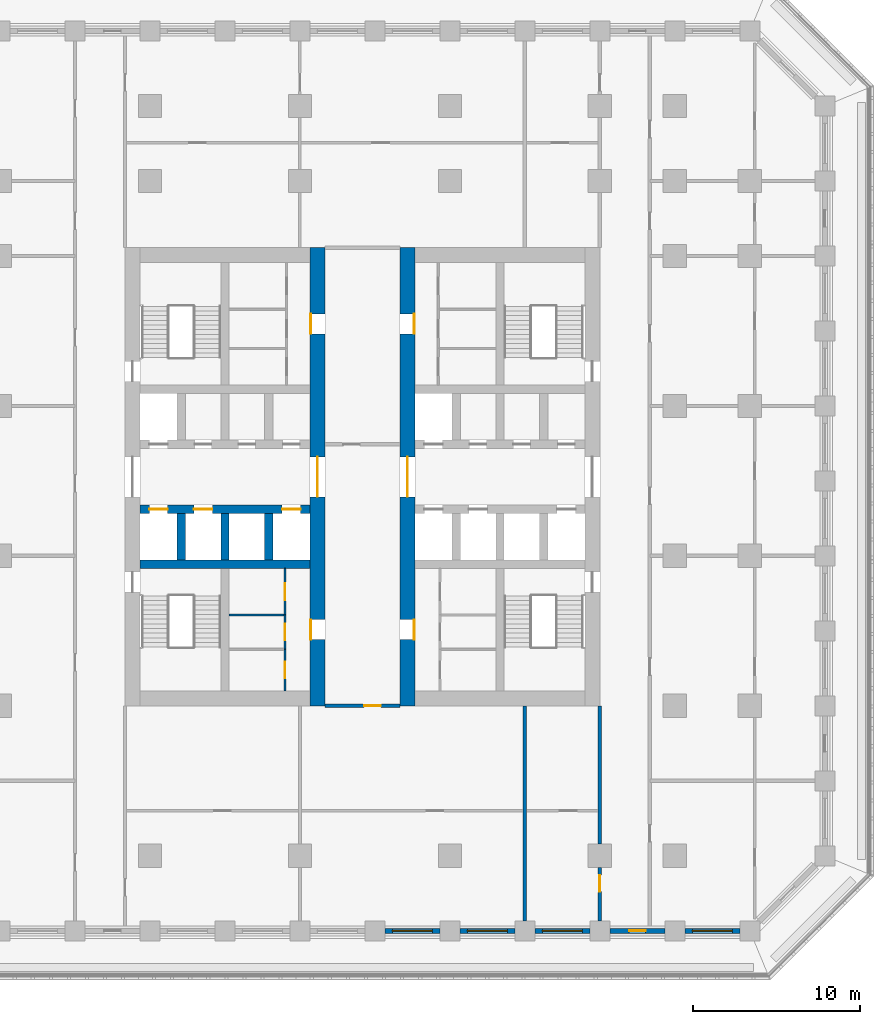
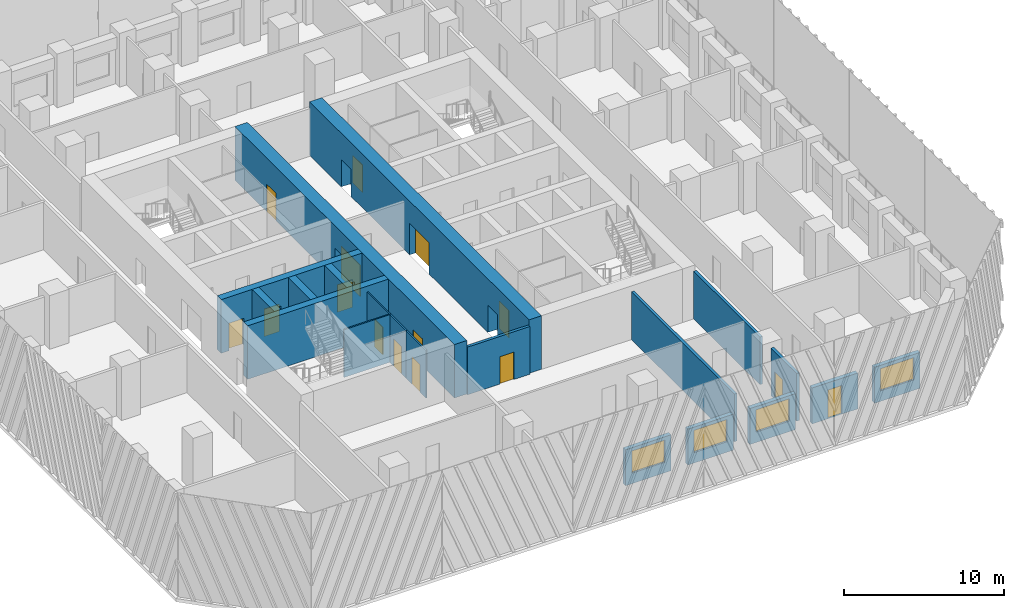
# One storey, part 4 of 19: 20 walls, 15 doors, 4 windows, 19 openings.
"""IFC4 building model written with IfcOpenShell, lengths in metres."""

from ifc_helpers import new_model, si_unit, direction, frame, frame_2d, origin, place, context, subcontext, project, spatial, rectangle, extrude, material, layer, layer_set, type_object, element, fill, save


model = new_model("IFC4")

# Units and contexts
model_context = context("Model", 3, precision=1e-05, world=origin(), true_north=direction((0.0, 1.0)))
body_context = subcontext(model_context, "Body", "Model", "MODEL_VIEW")
ifc_project = project(units=[si_unit("LENGTHUNIT", "METRE"), si_unit("AREAUNIT", "SQUARE_METRE"), si_unit("VOLUMEUNIT", "CUBIC_METRE"), si_unit("PLANEANGLEUNIT", "RADIAN"), si_unit("MASSUNIT", "GRAM", prefix="KILO")], contexts=[model_context])

# Site, building, storey
site_placement = place(None, origin())
site = spatial("IfcSite", under=ifc_project, at=site_placement, CompositionType="ELEMENT")
building_placement = place(site_placement, origin())
building = spatial("IfcBuilding", under=site, at=building_placement, Name="Corbel Stack Research Tower", CompositionType="ELEMENT")
storey_placement = place(building_placement, frame((0.0, 0.0, 90.199951171875)))
storey = spatial("IfcBuildingStorey", under=building, at=storey_placement, Name="L20", CompositionType="ELEMENT", Elevation=90.199951171875)

# Wall
ifc_material_1 = material(Name="Concrete C70/85", Category="concrete")
ifc_layer_1 = layer(ifc_material_1, 0.5)
ifc_layer_set_1 = layer_set([ifc_layer_1], Name="Concrete C70/85")
wall_type_1 = type_object("IfcWallType", Name="CW-500-70", PredefinedType="SHEAR", material=ifc_layer_set_1)
wall_1_placement = place(storey_placement, frame((-9.60009765625, -0.5, 0.0), z_axis=(0.0, 0.0, 1.0), x_axis=(1.0, 0.0, 0.0)))
element("IfcWall", 1, at=wall_1_placement, inside=storey, type_object=wall_type_1, Name="West core wall, south row back L20", PredefinedType="SHEAR", context=body_context, shape_type="SweptSolid", body=[
    extrude(rectangle(XDim=10.2001953125, YDim=0.5, at=frame_2d((5.10009765625, 0.0))), origin(), (0.0, 0.0, 1.0), 4.10009765625),
])

# Wall, openings, doors
wall_2_placement = place(storey_placement, frame((-9.60009765625, 2.800048828125, 0.0), z_axis=(0.0, 0.0, 1.0), x_axis=(1.0, 0.0, 0.0)))
wall_2 = element("IfcWall", 2, at=wall_2_placement, inside=storey, type_object=wall_type_1, Name="West core wall, lobby south L20", PredefinedType="SHEAR", context=body_context, shape_type="SweptSolid", body=[
    extrude(rectangle(XDim=10.2001953125, YDim=0.5, at=frame_2d((5.10009765625, 0.0))), origin(), (0.0, 0.0, 1.0), 4.10009765625),
])
opening_1_placement = place(wall_2_placement, frame((0.5625, 0.0, 0.0)))
opening_1 = element("IfcOpeningElement", 3, at=opening_1_placement, cuts=wall_2, Name="Opening LD-FS1", PredefinedType="OPENING", context=body_context, shape_type="SweptSolid", body=[
    extrude(rectangle(XDim=1.10009765625, YDim=2.10009765625, at=frame_2d((0.550048828125, 1.050048828125))), frame((0.0, 0.260009765625, 0.0), z_axis=(0.0, -1.0, 0.0), x_axis=(1.0, 0.0, 0.0)), (0.0, 0.0, 1.0), 0.52001953125),
])
opening_2_placement = place(wall_2_placement, frame((3.237548828125, 0.0, 0.0)))
opening_2 = element("IfcOpeningElement", 4, at=opening_2_placement, cuts=wall_2, Name="Opening LD-GL1", PredefinedType="OPENING", context=body_context, shape_type="SweptSolid", body=[
    extrude(rectangle(XDim=1.10009765625, YDim=2.10009765625, at=frame_2d((0.550048828125, 1.050048828125))), frame((0.0, 0.260009765625, 0.0), z_axis=(0.0, -1.0, 0.0), x_axis=(1.0, 0.0, 0.0)), (0.0, 0.0, 1.0), 0.52001953125),
])
opening_3_placement = place(wall_2_placement, frame((8.53759765625, 0.0, 0.0)))
opening_3 = element("IfcOpeningElement", 5, at=opening_3_placement, cuts=wall_2, Name="Opening LD-LR1", PredefinedType="OPENING", context=body_context, shape_type="SweptSolid", body=[
    extrude(rectangle(XDim=1.10009765625, YDim=2.10009765625, at=frame_2d((0.550048828125, 1.050048828125))), frame((0.0, 0.260009765625, 0.0), z_axis=(0.0, -1.0, 0.0), x_axis=(1.0, 0.0, 0.0)), (0.0, 0.0, 1.0), 0.52001953125),
])
ifc_material_2 = material(Name="Stainless steel landing door", Category="steel")
door_type_1 = type_object("IfcDoorType", Name="Lift landing door 1100 x 2100", OperationType="DOUBLE_DOOR_SLIDING", PredefinedType="DOOR", material=ifc_material_2)
door_1_placement = place(opening_1_placement, origin())
door_1 = element("IfcDoor", 6, at=door_1_placement, inside=storey, type_object=door_type_1, Name="Landing door FS1", OperationType="DOUBLE_DOOR_SLIDING", OverallHeight=2.10009765625, OverallWidth=1.10009765625, PredefinedType="DOOR", context=body_context, shape_type="SweptSolid", body=[
    extrude(rectangle(XDim=1.10009765625, YDim=2.10009765625, at=frame_2d((0.550048828125, 1.050048828125))), frame((0.0, 0.02490234375, 0.0), z_axis=(0.0, -1.0, 0.0), x_axis=(1.0, 0.0, 0.0)), (0.0, 0.0, 1.0), 0.050048828125),
])
fill(opening_1, door_1)
door_2_placement = place(opening_2_placement, origin())
door_2 = element("IfcDoor", 7, at=door_2_placement, inside=storey, type_object=door_type_1, Name="Landing door GL1", OperationType="DOUBLE_DOOR_SLIDING", OverallHeight=2.10009765625, OverallWidth=1.10009765625, PredefinedType="DOOR", context=body_context, shape_type="SweptSolid", body=[
    extrude(rectangle(XDim=1.10009765625, YDim=2.10009765625, at=frame_2d((0.550048828125, 1.050048828125))), frame((0.0, 0.02490234375, 0.0), z_axis=(0.0, -1.0, 0.0), x_axis=(1.0, 0.0, 0.0)), (0.0, 0.0, 1.0), 0.050048828125),
])
fill(opening_2, door_2)
door_3_placement = place(opening_3_placement, origin())
door_3 = element("IfcDoor", 8, at=door_3_placement, inside=storey, type_object=door_type_1, Name="Landing door LR1", OperationType="DOUBLE_DOOR_SLIDING", OverallHeight=2.10009765625, OverallWidth=1.10009765625, PredefinedType="DOOR", context=body_context, shape_type="SweptSolid", body=[
    extrude(rectangle(XDim=1.10009765625, YDim=2.10009765625, at=frame_2d((0.550048828125, 1.050048828125))), frame((0.0, 0.02490234375, 0.0), z_axis=(0.0, -1.0, 0.0), x_axis=(1.0, 0.0, 0.0)), (0.0, 0.0, 1.0), 0.050048828125),
])
fill(opening_3, door_3)

# Walls
for number, where, z_axis, x_axis, name in (
    (9, (-7.125, -0.25, 0.0), (0.0, 0.0, 1.0), (0.0, 1.0, 0.0), "West core wall, south shaft 1 L20"),
    (10, (-4.5, -0.25, 0.0), (0.0, 0.0, 1.0), (0.0, 1.0, 0.0), "West core wall, south shaft 2 L20"),
    (11, (-1.875, -0.25, 0.0), (0.0, 0.0, 1.0), (0.0, 1.0, 0.0), "West core wall, south shaft 3 L20"),
):
    element("IfcWall", number, at=place(storey_placement, frame(where, z_axis=z_axis, x_axis=x_axis)), inside=storey, type_object=wall_type_1, Name=name, PredefinedType="SHEAR", context=body_context, shape_type="SweptSolid", body=[
        extrude(rectangle(XDim=2.800048828125, YDim=0.5, at=frame_2d((1.39990234375, 0.0))), origin(), (0.0, 0.0, 1.0), 4.10009765625),
    ])

# Wall, openings, doors
ifc_material_3 = material(Name="Concrete C70/85", Category="concrete")
ifc_layer_2 = layer(ifc_material_3, 0.89990234375)
ifc_layer_set_2 = layer_set([ifc_layer_2], Name="Concrete C70/85")
wall_type_2 = type_object("IfcWallType", Name="CW-900-70", PredefinedType="SHEAR", material=ifc_layer_set_2)
wall_3_placement = place(storey_placement, frame((1.050048828125, -9.0, 0.0), z_axis=(0.0, 0.0, 1.0), x_axis=(0.0, 1.0, 0.0)))
wall_3 = element("IfcWall", 12, at=wall_3_placement, inside=storey, type_object=wall_type_2, Name="West core wall, east face L20", PredefinedType="SHEAR", context=body_context, shape_type="SweptSolid", body=[
    extrude(rectangle(XDim=27.5, YDim=0.89990234375, at=frame_2d((13.75, 0.0))), origin(), (0.0, 0.0, 1.0), 4.10009765625),
])
opening_4_placement = place(wall_3_placement, frame((12.550048828125, 0.0, 0.0)))
opening_4 = element("IfcOpeningElement", 13, at=opening_4_placement, cuts=wall_3, Name="Opening CD-W-E", PredefinedType="OPENING", context=body_context, shape_type="SweptSolid", body=[
    extrude(rectangle(XDim=2.39990234375, YDim=2.39990234375, at=frame_2d((1.199951171875, 1.199951171875))), frame((0.0, 0.4599609375, 0.0), z_axis=(0.0, -1.0, 0.0), x_axis=(1.0, 0.0, 0.0)), (0.0, 0.0, 1.0), 0.919921875),
])
opening_5_placement = place(wall_3_placement, frame((3.97509765625, 0.0, 0.0)))
opening_5 = element("IfcOpeningElement", 14, at=opening_5_placement, cuts=wall_3, Name="Opening CR-W12-W1-1200", PredefinedType="OPENING", context=body_context, shape_type="SweptSolid", body=[
    extrude(rectangle(XDim=1.199951171875, YDim=2.10009765625, at=frame_2d((0.60009765625, 1.050048828125))), frame((0.0, 0.4599609375, 0.0), z_axis=(0.0, -1.0, 0.0), x_axis=(1.0, 0.0, 0.0)), (0.0, 0.0, 1.0), 0.919921875),
])
opening_6_placement = place(wall_3_placement, frame((22.324951171875, 0.0, 0.0)))
opening_6 = element("IfcOpeningElement", 15, at=opening_6_placement, cuts=wall_3, Name="Opening CR-W12-R1-1200", PredefinedType="OPENING", context=body_context, shape_type="SweptSolid", body=[
    extrude(rectangle(XDim=1.199951171875, YDim=2.10009765625, at=frame_2d((0.60009765625, 1.050048828125))), frame((0.0, 0.4599609375, 0.0), z_axis=(0.0, -1.0, 0.0), x_axis=(1.0, 0.0, 0.0)), (0.0, 0.0, 1.0), 0.919921875),
])
ifc_material_4 = material(Name="Painted steel fire door", Category="steel")
door_type_2 = type_object("IfcDoorType", Name="Lobby door pair 2400 x 2400 FD30S", OperationType="DOUBLE_DOOR_DOUBLE_SWING", PredefinedType="DOOR", material=ifc_material_4)
door_4_placement = place(opening_4_placement, origin())
door_4 = element("IfcDoor", 16, at=door_4_placement, inside=storey, type_object=door_type_2, Name="Lift lobby door W core E", OperationType="DOUBLE_DOOR_DOUBLE_SWING", OverallHeight=2.39990234375, OverallWidth=2.39990234375, PredefinedType="DOOR", context=body_context, shape_type="SweptSolid", body=[
    extrude(rectangle(XDim=2.39990234375, YDim=2.39990234375, at=frame_2d((1.199951171875, 1.199951171875))), frame((0.0, 0.02490234375, 0.0), z_axis=(0.0, -1.0, 0.0), x_axis=(1.0, 0.0, 0.0)), (0.0, 0.0, 1.0), 0.050048828125),
])
fill(opening_4, door_4)
ifc_material_5 = material(Name="Painted steel door", Category="steel")
door_type_3 = type_object("IfcDoorType", Name="Service door 1200 x 2100 FD30 left hand", OperationType="SINGLE_SWING_LEFT", PredefinedType="DOOR", material=ifc_material_5)
door_5_placement = place(opening_6_placement, origin())
door_5 = element("IfcDoor", 17, at=door_5_placement, inside=storey, type_object=door_type_3, Name="Service passage door W core", OperationType="SINGLE_SWING_LEFT", OverallHeight=2.10009765625, OverallWidth=1.199951171875, PredefinedType="DOOR", context=body_context, shape_type="SweptSolid", body=[
    extrude(rectangle(XDim=1.199951171875, YDim=2.10009765625, at=frame_2d((0.60009765625, 1.050048828125))), frame((0.0, 0.4248046875, 0.0), z_axis=(0.0, -1.0, 0.0), x_axis=(1.0, 0.0, 0.0)), (0.0, 0.0, 1.0), 0.050048828125),
])
fill(opening_6, door_5)
ifc_material_6 = material(Name="Painted timber door", Category="wood")
door_type_4 = type_object("IfcDoorType", Name="WC door 1200 x 2100 left hand", OperationType="SINGLE_SWING_LEFT", PredefinedType="DOOR", material=ifc_material_6)
door_6_placement = place(opening_5_placement, origin())
door_6 = element("IfcDoor", 18, at=door_6_placement, inside=storey, type_object=door_type_4, Name="WC lobby door W core", OperationType="SINGLE_SWING_LEFT", OverallHeight=2.10009765625, OverallWidth=1.199951171875, PredefinedType="DOOR", context=body_context, shape_type="SweptSolid", body=[
    extrude(rectangle(XDim=1.199951171875, YDim=2.10009765625, at=frame_2d((0.60009765625, 1.050048828125))), frame((0.0, 0.4248046875, 0.0), z_axis=(0.0, -1.0, 0.0), x_axis=(1.0, 0.0, 0.0)), (0.0, 0.0, 1.0), 0.050048828125),
])
fill(opening_5, door_6)

wall_4_placement = place(storey_placement, frame((6.449951171875, -9.0, 0.0), z_axis=(0.0, 0.0, 1.0), x_axis=(0.0, 1.0, 0.0)))
wall_4 = element("IfcWall", 19, at=wall_4_placement, inside=storey, type_object=wall_type_2, Name="East core wall, west face L20", PredefinedType="SHEAR", context=body_context, shape_type="SweptSolid", body=[
    extrude(rectangle(XDim=27.5, YDim=0.89990234375, at=frame_2d((13.75, 0.0))), origin(), (0.0, 0.0, 1.0), 4.10009765625),
])
opening_7_placement = place(wall_4_placement, frame((12.550048828125, 0.0, 0.0)))
opening_7 = element("IfcOpeningElement", 20, at=opening_7_placement, cuts=wall_4, Name="Opening CD-E-W", PredefinedType="OPENING", context=body_context, shape_type="SweptSolid", body=[
    extrude(rectangle(XDim=2.39990234375, YDim=2.39990234375, at=frame_2d((1.199951171875, 1.199951171875))), frame((0.0, 0.4599609375, 0.0), z_axis=(0.0, -1.0, 0.0), x_axis=(1.0, 0.0, 0.0)), (0.0, 0.0, 1.0), 0.919921875),
])
opening_8_placement = place(wall_4_placement, frame((3.97509765625, 0.0, 0.0)))
opening_8 = element("IfcOpeningElement", 21, at=opening_8_placement, cuts=wall_4, Name="Opening CR-E12-W1-1200", PredefinedType="OPENING", context=body_context, shape_type="SweptSolid", body=[
    extrude(rectangle(XDim=1.199951171875, YDim=2.10009765625, at=frame_2d((0.60009765625, 1.050048828125))), frame((0.0, 0.4599609375, 0.0), z_axis=(0.0, -1.0, 0.0), x_axis=(1.0, 0.0, 0.0)), (0.0, 0.0, 1.0), 0.919921875),
])
opening_9_placement = place(wall_4_placement, frame((22.324951171875, 0.0, 0.0)))
opening_9 = element("IfcOpeningElement", 22, at=opening_9_placement, cuts=wall_4, Name="Opening CR-E12-R1-1200", PredefinedType="OPENING", context=body_context, shape_type="SweptSolid", body=[
    extrude(rectangle(XDim=1.199951171875, YDim=2.10009765625, at=frame_2d((0.60009765625, 1.050048828125))), frame((0.0, 0.4599609375, 0.0), z_axis=(0.0, -1.0, 0.0), x_axis=(1.0, 0.0, 0.0)), (0.0, 0.0, 1.0), 0.919921875),
])
door_7_placement = place(opening_7_placement, origin())
door_7 = element("IfcDoor", 23, at=door_7_placement, inside=storey, type_object=door_type_2, Name="Lift lobby door E core W", OperationType="DOUBLE_DOOR_DOUBLE_SWING", OverallHeight=2.39990234375, OverallWidth=2.39990234375, PredefinedType="DOOR", context=body_context, shape_type="SweptSolid", body=[
    extrude(rectangle(XDim=2.39990234375, YDim=2.39990234375, at=frame_2d((1.199951171875, 1.199951171875))), frame((0.0, 0.02490234375, 0.0), z_axis=(0.0, -1.0, 0.0), x_axis=(1.0, 0.0, 0.0)), (0.0, 0.0, 1.0), 0.050048828125),
])
fill(opening_7, door_7)
ifc_material_7 = material(Name="Painted steel door", Category="steel")
door_type_5 = type_object("IfcDoorType", Name="Service door 1200 x 2100 FD30 right hand", OperationType="SINGLE_SWING_RIGHT", PredefinedType="DOOR", material=ifc_material_7)
door_8_placement = place(opening_9_placement, origin())
door_8 = element("IfcDoor", 24, at=door_8_placement, inside=storey, type_object=door_type_5, Name="Service passage door E core", OperationType="SINGLE_SWING_RIGHT", OverallHeight=2.10009765625, OverallWidth=1.199951171875, PredefinedType="DOOR", context=body_context, shape_type="SweptSolid", body=[
    extrude(rectangle(XDim=1.199951171875, YDim=2.10009765625, at=frame_2d((0.60009765625, 1.050048828125))), frame((0.0, -0.375, 0.0), z_axis=(0.0, -1.0, 0.0), x_axis=(1.0, 0.0, 0.0)), (0.0, 0.0, 1.0), 0.050048828125),
])
fill(opening_9, door_8)
ifc_material_8 = material(Name="Painted timber door", Category="wood")
door_type_6 = type_object("IfcDoorType", Name="WC door 1200 x 2100 right hand", OperationType="SINGLE_SWING_RIGHT", PredefinedType="DOOR", material=ifc_material_8)
door_9_placement = place(opening_8_placement, origin())
door_9 = element("IfcDoor", 25, at=door_9_placement, inside=storey, type_object=door_type_6, Name="WC lobby door E core", OperationType="SINGLE_SWING_RIGHT", OverallHeight=2.10009765625, OverallWidth=1.199951171875, PredefinedType="DOOR", context=body_context, shape_type="SweptSolid", body=[
    extrude(rectangle(XDim=1.199951171875, YDim=2.10009765625, at=frame_2d((0.60009765625, 1.050048828125))), frame((0.0, -0.375, 0.0), z_axis=(0.0, -1.0, 0.0), x_axis=(1.0, 0.0, 0.0)), (0.0, 0.0, 1.0), 0.050048828125),
])
fill(opening_8, door_9)

# Wall, opening, door
ifc_material_9 = material(Name="Gypsum board")
ifc_layer_3 = layer(ifc_material_9, 0.10009765625)
ifc_layer_set_3 = layer_set([ifc_layer_3], Name="Gypsum board")
wall_type_3 = type_object("IfcWallType", Name="Core partition 100", PredefinedType="PARTITIONING", material=ifc_layer_set_3)
wall_5_placement = place(storey_placement, frame((-0.89990234375, -8.10009765625, 0.0), z_axis=(0.0, 0.0, 1.0), x_axis=(0.0, 1.0, 0.0)))
wall_5 = element("IfcWall", 26, at=wall_5_placement, inside=storey, type_object=wall_type_3, Name="Core partition W", PredefinedType="PARTITIONING", context=body_context, shape_type="SweptSolid", body=[
    extrude(rectangle(XDim=2.4990234375, YDim=0.10009765625, at=frame_2d((1.24951171875, 0.0))), origin(), (0.0, 0.0, 1.0), 3.650146484375),
])
opening_10_placement = place(wall_5_placement, frame((0.74951171875, 0.0, 0.0)))
opening_10 = element("IfcOpeningElement", 27, at=opening_10_placement, cuts=wall_5, Name="Opening CR-W12-W2-1000", PredefinedType="OPENING", context=body_context, shape_type="SweptSolid", body=[
    extrude(rectangle(XDim=1.0, YDim=2.10009765625, at=frame_2d((0.5, 1.050048828125))), frame((0.0, 0.06005859375, 0.0), z_axis=(0.0, -1.0, 0.0), x_axis=(1.0, 0.0, 0.0)), (0.0, 0.0, 1.0), 0.1201171875),
])
ifc_material_10 = material(Name="Painted timber door", Category="wood")
door_type_7 = type_object("IfcDoorType", Name="WC door 1000 x 2100 right hand", OperationType="SINGLE_SWING_RIGHT", PredefinedType="DOOR", material=ifc_material_10)
door_10_placement = place(opening_10_placement, origin())
door_10 = element("IfcDoor", 28, at=door_10_placement, inside=storey, type_object=door_type_7, Name="Men's WC door W core", OperationType="SINGLE_SWING_RIGHT", OverallHeight=2.10009765625, OverallWidth=1.0, PredefinedType="DOOR", context=body_context, shape_type="SweptSolid", body=[
    extrude(rectangle(XDim=1.0, YDim=2.10009765625, at=frame_2d((0.5, 1.050048828125))), frame((0.0, 0.02490234375, 0.0), z_axis=(0.0, -1.0, 0.0), x_axis=(1.0, 0.0, 0.0)), (0.0, 0.0, 1.0), 0.050048828125),
])
fill(opening_10, door_10)

wall_6_placement = place(storey_placement, frame((-0.89990234375, -5.60107421875, 0.0), z_axis=(0.0, 0.0, 1.0), x_axis=(0.0, 1.0, 0.0)))
wall_6 = element("IfcWall", 29, at=wall_6_placement, inside=storey, type_object=wall_type_3, Name="Core partition W", PredefinedType="PARTITIONING", context=body_context, shape_type="SweptSolid", body=[
    extrude(rectangle(XDim=2.05810546875, YDim=0.10009765625, at=frame_2d((1.029052734375, 0.0))), origin(), (0.0, 0.0, 1.0), 3.650146484375),
])
opening_11_placement = place(wall_6_placement, frame((0.529052734375, 0.0, 0.0)))
opening_11 = element("IfcOpeningElement", 30, at=opening_11_placement, cuts=wall_6, Name="Opening CR-W12-W3-1000", PredefinedType="OPENING", context=body_context, shape_type="SweptSolid", body=[
    extrude(rectangle(XDim=1.0, YDim=2.10009765625, at=frame_2d((0.5, 1.050048828125))), frame((0.0, 0.06005859375, 0.0), z_axis=(0.0, -1.0, 0.0), x_axis=(1.0, 0.0, 0.0)), (0.0, 0.0, 1.0), 0.1201171875),
])
ifc_material_11 = material(Name="Painted timber door", Category="wood")
door_type_8 = type_object("IfcDoorType", Name="WC door 1000 x 2100 left hand", OperationType="SINGLE_SWING_LEFT", PredefinedType="DOOR", material=ifc_material_11)
door_11_placement = place(opening_11_placement, origin())
door_11 = element("IfcDoor", 31, at=door_11_placement, inside=storey, type_object=door_type_8, Name="Accessible WC door W core", OperationType="SINGLE_SWING_LEFT", OverallHeight=2.10009765625, OverallWidth=1.0, PredefinedType="DOOR", context=body_context, shape_type="SweptSolid", body=[
    extrude(rectangle(XDim=1.0, YDim=2.10009765625, at=frame_2d((0.5, 1.050048828125))), frame((0.0, 0.02490234375, 0.0), z_axis=(0.0, -1.0, 0.0), x_axis=(1.0, 0.0, 0.0)), (0.0, 0.0, 1.0), 0.050048828125),
])
fill(opening_11, door_11)

wall_7_placement = place(storey_placement, frame((-0.89990234375, -3.54296875, 0.0), z_axis=(0.0, 0.0, 1.0), x_axis=(0.0, 1.0, 0.0)))
wall_7 = element("IfcWall", 32, at=wall_7_placement, inside=storey, type_object=wall_type_3, Name="Core partition W", PredefinedType="PARTITIONING", context=body_context, shape_type="SweptSolid", body=[
    extrude(rectangle(XDim=2.79296875, YDim=0.10009765625, at=frame_2d((1.396484375, 0.0))), origin(), (0.0, 0.0, 1.0), 3.650146484375),
])
opening_12_placement = place(wall_7_placement, frame((0.896484375, 0.0, 0.0)))
opening_12 = element("IfcOpeningElement", 33, at=opening_12_placement, cuts=wall_7, Name="Opening CR-W12-W4-1000", PredefinedType="OPENING", context=body_context, shape_type="SweptSolid", body=[
    extrude(rectangle(XDim=1.0, YDim=2.10009765625, at=frame_2d((0.5, 1.050048828125))), frame((0.0, 0.06005859375, 0.0), z_axis=(0.0, -1.0, 0.0), x_axis=(1.0, 0.0, 0.0)), (0.0, 0.0, 1.0), 0.1201171875),
])
door_12_placement = place(opening_12_placement, origin())
door_12 = element("IfcDoor", 34, at=door_12_placement, inside=storey, type_object=door_type_7, Name="Women's WC door W core", OperationType="SINGLE_SWING_RIGHT", OverallHeight=2.10009765625, OverallWidth=1.0, PredefinedType="DOOR", context=body_context, shape_type="SweptSolid", body=[
    extrude(rectangle(XDim=1.0, YDim=2.10009765625, at=frame_2d((0.5, 1.050048828125))), frame((0.0, 0.02490234375, 0.0), z_axis=(0.0, -1.0, 0.0), x_axis=(1.0, 0.0, 0.0)), (0.0, 0.0, 1.0), 0.050048828125),
])
fill(opening_12, door_12)

# Walls
wall_8_placement = place(storey_placement, frame((-4.25, -3.54296875, 0.0), z_axis=(0.0, 0.0, 1.0), x_axis=(1.0, 0.0, 0.0)))
element("IfcWall", 35, at=wall_8_placement, inside=storey, type_object=wall_type_3, Name="Core partition W", PredefinedType="PARTITIONING", context=body_context, shape_type="SweptSolid", body=[
    extrude(rectangle(XDim=3.35009765625, YDim=0.10009765625, at=frame_2d((1.675048828125, 0.0))), origin(), (0.0, 0.0, 1.0), 3.650146484375),
])
ifc_material_12 = material(Name="Fire-rated gypsum board partition on steel studs", Category="steel")
ifc_layer_4 = layer(ifc_material_12, 0.199951171875)
ifc_layer_set_4 = layer_set([ifc_layer_4], Name="Fire-rated gypsum board partition on steel studs")
wall_type_4 = type_object("IfcWallType", Name="Fire-rated partition 200 EI 60", PredefinedType="PARTITIONING", material=ifc_layer_set_4)
wall_9_placement = place(storey_placement, frame((13.5, -21.89990234375, 0.0), z_axis=(0.0, 0.0, 1.0), x_axis=(0.0, 1.0, 0.0)))
element("IfcWall", 36, at=wall_9_placement, inside=storey, type_object=wall_type_4, Name="Partition L20-009", PredefinedType="PARTITIONING", context=body_context, shape_type="SweptSolid", body=[
    extrude(rectangle(XDim=12.89990234375, YDim=0.199951171875, at=frame_2d((6.449951171875, 0.0))), origin(), (0.0, 0.0, 1.0), 3.650146484375),
])

# Wall, opening, door
wall_10_placement = place(storey_placement, frame((18.0, -21.89990234375, 0.0), z_axis=(0.0, 0.0, 1.0), x_axis=(0.0, 1.0, 0.0)))
wall_10 = element("IfcWall", 37, at=wall_10_placement, inside=storey, type_object=wall_type_4, Name="Partition L20-011", PredefinedType="PARTITIONING", context=body_context, shape_type="SweptSolid", body=[
    extrude(rectangle(XDim=3.199951171875, YDim=0.199951171875, at=frame_2d((1.60009765625, 0.0))), origin(), (0.0, 0.0, 1.0), 3.650146484375),
])
opening_13_placement = place(wall_10_placement, frame((1.75, 0.0, 0.0)))
opening_13 = element("IfcOpeningElement", 38, at=opening_13_placement, cuts=wall_10, Name="Opening B3V1-015", PredefinedType="OPENING", context=body_context, shape_type="SweptSolid", body=[
    extrude(rectangle(XDim=1.0, YDim=2.10009765625, at=frame_2d((0.5, 1.050048828125))), frame((0.0, 0.10986328125, 0.0), z_axis=(0.0, -1.0, 0.0), x_axis=(1.0, 0.0, 0.0)), (0.0, 0.0, 1.0), 0.219970703125),
])
ifc_material_13 = material(Name="Painted steel fire door", Category="steel")
door_type_9 = type_object("IfcDoorType", Name="Fire door FD30S 1000 x 2100", OperationType="NOTDEFINED", PredefinedType="DOOR", material=ifc_material_13)
door_13_placement = place(opening_13_placement, origin())
door_13 = element("IfcDoor", 39, at=door_13_placement, inside=storey, type_object=door_type_9, Name="Door B3V1-015", OperationType="SINGLE_SWING_RIGHT", OverallHeight=2.10009765625, OverallWidth=1.0, PredefinedType="DOOR", context=body_context, shape_type="SweptSolid", body=[
    extrude(rectangle(XDim=1.0, YDim=2.10009765625, at=frame_2d((0.5, 1.050048828125))), frame((0.0, 0.02490234375, 0.0), z_axis=(0.0, -1.0, 0.0), x_axis=(1.0, 0.0, 0.0)), (0.0, 0.0, 1.0), 0.050048828125),
])
fill(opening_13, door_13)

# Wall
wall_11_placement = place(storey_placement, frame((18.0, -17.300048828125, 0.0), z_axis=(0.0, 0.0, 1.0), x_axis=(0.0, 1.0, 0.0)))
element("IfcWall", 40, at=wall_11_placement, inside=storey, type_object=wall_type_4, Name="Partition L20-012", PredefinedType="PARTITIONING", context=body_context, shape_type="SweptSolid", body=[
    extrude(rectangle(XDim=8.300048828125, YDim=0.199951171875, at=frame_2d((4.14990234375, 0.0))), origin(), (0.0, 0.0, 1.0), 3.650146484375),
])

# Wall, opening, door
wall_12_placement = place(storey_placement, frame((6.0, -9.0, 0.0), z_axis=(0.0, 0.0, 1.0), x_axis=(-1.0, 0.0, 0.0)))
wall_12 = element("IfcWall", 41, at=wall_12_placement, inside=storey, type_object=wall_type_4, Name="Partition L20-026", PredefinedType="PARTITIONING", context=body_context, shape_type="SweptSolid", body=[
    extrude(rectangle(XDim=4.5, YDim=0.199951171875, at=frame_2d((2.25, 0.0))), origin(), (0.0, 0.0, 1.0), 3.650146484375),
])
opening_14_placement = place(wall_12_placement, frame((1.14990234375, 0.0, 0.0)))
opening_14 = element("IfcOpeningElement", 42, at=opening_14_placement, cuts=wall_12, Name="Opening B3V1-012", PredefinedType="OPENING", context=body_context, shape_type="SweptSolid", body=[
    extrude(rectangle(XDim=1.0, YDim=2.10009765625, at=frame_2d((0.5, 1.050048828125))), frame((0.0, 0.10986328125, 0.0), z_axis=(0.0, -1.0, 0.0), x_axis=(1.0, 0.0, 0.0)), (0.0, 0.0, 1.0), 0.219970703125),
])
door_14_placement = place(opening_14_placement, origin())
door_14 = element("IfcDoor", 43, at=door_14_placement, inside=storey, type_object=door_type_9, Name="Door B3V1-012", OperationType="SINGLE_SWING_LEFT", OverallHeight=2.10009765625, OverallWidth=1.0, PredefinedType="DOOR", context=body_context, shape_type="SweptSolid", body=[
    extrude(rectangle(XDim=1.0, YDim=2.10009765625, at=frame_2d((0.5, 1.050048828125))), frame((0.0, 0.02490234375, 0.0), z_axis=(0.0, -1.0, 0.0), x_axis=(1.0, 0.0, 0.0)), (0.0, 0.0, 1.0), 0.050048828125),
])
fill(opening_14, door_14)

# Wall, opening, window
ifc_material_14 = material(Name="Concrete C45/55", Category="concrete")
ifc_layer_5 = layer(ifc_material_14, 0.300048828125)
ifc_layer_set_5 = layer_set([ifc_layer_5], Name="Concrete C45/55")
wall_type_5 = type_object("IfcWallType", Name="Terracotta-faced concrete wall 300", PredefinedType="SOLIDWALL", material=ifc_layer_set_5)
wall_13_placement = place(storey_placement, frame((8.39990234375, -22.5, 0.0), z_axis=(0.0, 0.0, 1.0), x_axis=(-1.0, 0.0, 0.0)))
wall_13 = element("IfcWall", 44, at=wall_13_placement, inside=storey, type_object=wall_type_5, Name="Facade wall L20 S06", PredefinedType="SOLIDWALL", context=body_context, shape_type="SweptSolid", body=[
    extrude(rectangle(XDim=3.2998046875, YDim=0.300048828125, at=frame_2d((1.64990234375, 0.0))), origin(), (0.0, 0.0, 1.0), 2.75),
])
opening_15_placement = place(wall_13_placement, frame((0.449951171875, 0.0, 0.800048828125)))
opening_15 = element("IfcOpeningElement", 45, at=opening_15_placement, cuts=wall_13, Name="Opening W1", PredefinedType="OPENING", context=body_context, shape_type="SweptSolid", body=[
    extrude(rectangle(XDim=2.39990234375, YDim=1.699951171875, at=frame_2d((1.199951171875, 0.85009765625))), frame((0.0, 0.159912109375, 0.0), z_axis=(0.0, -1.0, 0.0), x_axis=(1.0, 0.0, 0.0)), (0.0, 0.0, 1.0), 0.320068359375),
])
ifc_material_15 = material(Name="Aluminium frame, clear double glazing", Category="aluminium")
window_type = type_object("IfcWindowType", Name="Window W1 2400 x 1700", PartitioningType="SINGLE_PANEL", PredefinedType="WINDOW", material=ifc_material_15)
window_1_placement = place(opening_15_placement, origin())
window_1 = element("IfcWindow", 46, at=window_1_placement, inside=storey, type_object=window_type, Name="Window W1 L20 S06", OverallHeight=1.699951171875, OverallWidth=2.39990234375, PartitioningType="SINGLE_PANEL", PredefinedType="WINDOW", context=body_context, shape_type="SweptSolid", body=[
    extrude(rectangle(XDim=2.39990234375, YDim=1.699951171875, at=frame_2d((1.199951171875, 0.85009765625))), frame((0.0, 0.030029296875, 0.0), z_axis=(0.0, -1.0, 0.0), x_axis=(1.0, 0.0, 0.0)), (0.0, 0.0, 1.0), 0.06005859375),
])
fill(opening_15, window_1)

wall_14_placement = place(storey_placement, frame((12.89990234375, -22.5, 0.0), z_axis=(0.0, 0.0, 1.0), x_axis=(-1.0, 0.0, 0.0)))
wall_14 = element("IfcWall", 47, at=wall_14_placement, inside=storey, type_object=wall_type_5, Name="Facade wall L20 S07", PredefinedType="SOLIDWALL", context=body_context, shape_type="SweptSolid", body=[
    extrude(rectangle(XDim=3.2998046875, YDim=0.300048828125, at=frame_2d((1.64990234375, 0.0))), origin(), (0.0, 0.0, 1.0), 2.75),
])
opening_16_placement = place(wall_14_placement, frame((0.449951171875, 0.0, 0.800048828125)))
opening_16 = element("IfcOpeningElement", 48, at=opening_16_placement, cuts=wall_14, Name="Opening W1", PredefinedType="OPENING", context=body_context, shape_type="SweptSolid", body=[
    extrude(rectangle(XDim=2.39990234375, YDim=1.699951171875, at=frame_2d((1.199951171875, 0.85009765625))), frame((0.0, 0.159912109375, 0.0), z_axis=(0.0, -1.0, 0.0), x_axis=(1.0, 0.0, 0.0)), (0.0, 0.0, 1.0), 0.320068359375),
])
window_2_placement = place(opening_16_placement, origin())
window_2 = element("IfcWindow", 49, at=window_2_placement, inside=storey, type_object=window_type, Name="Window W1 L20 S07", OverallHeight=1.699951171875, OverallWidth=2.39990234375, PartitioningType="SINGLE_PANEL", PredefinedType="WINDOW", context=body_context, shape_type="SweptSolid", body=[
    extrude(rectangle(XDim=2.39990234375, YDim=1.699951171875, at=frame_2d((1.199951171875, 0.85009765625))), frame((0.0, 0.030029296875, 0.0), z_axis=(0.0, -1.0, 0.0), x_axis=(1.0, 0.0, 0.0)), (0.0, 0.0, 1.0), 0.06005859375),
])
fill(opening_16, window_2)

wall_15_placement = place(storey_placement, frame((17.39990234375, -22.5, 0.0), z_axis=(0.0, 0.0, 1.0), x_axis=(-1.0, 0.0, 0.0)))
wall_15 = element("IfcWall", 50, at=wall_15_placement, inside=storey, type_object=wall_type_5, Name="Facade wall L20 S08", PredefinedType="SOLIDWALL", context=body_context, shape_type="SweptSolid", body=[
    extrude(rectangle(XDim=3.2998046875, YDim=0.300048828125, at=frame_2d((1.64990234375, 0.0))), origin(), (0.0, 0.0, 1.0), 2.75),
])
opening_17_placement = place(wall_15_placement, frame((0.449951171875, 0.0, 0.800048828125)))
opening_17 = element("IfcOpeningElement", 51, at=opening_17_placement, cuts=wall_15, Name="Opening W1", PredefinedType="OPENING", context=body_context, shape_type="SweptSolid", body=[
    extrude(rectangle(XDim=2.39990234375, YDim=1.699951171875, at=frame_2d((1.199951171875, 0.85009765625))), frame((0.0, 0.159912109375, 0.0), z_axis=(0.0, -1.0, 0.0), x_axis=(1.0, 0.0, 0.0)), (0.0, 0.0, 1.0), 0.320068359375),
])
window_3_placement = place(opening_17_placement, origin())
window_3 = element("IfcWindow", 52, at=window_3_placement, inside=storey, type_object=window_type, Name="Window W1 L20 S08", OverallHeight=1.699951171875, OverallWidth=2.39990234375, PartitioningType="SINGLE_PANEL", PredefinedType="WINDOW", context=body_context, shape_type="SweptSolid", body=[
    extrude(rectangle(XDim=2.39990234375, YDim=1.699951171875, at=frame_2d((1.199951171875, 0.85009765625))), frame((0.0, 0.030029296875, 0.0), z_axis=(0.0, -1.0, 0.0), x_axis=(1.0, 0.0, 0.0)), (0.0, 0.0, 1.0), 0.06005859375),
])
fill(opening_17, window_3)

# Wall, opening, door
wall_16_placement = place(storey_placement, frame((21.89990234375, -22.5, 0.0), z_axis=(0.0, 0.0, 1.0), x_axis=(-1.0, 0.0, 0.0)))
wall_16 = element("IfcWall", 53, at=wall_16_placement, inside=storey, type_object=wall_type_5, Name="Facade wall L20 S09", PredefinedType="SOLIDWALL", context=body_context, shape_type="SweptSolid", body=[
    extrude(rectangle(XDim=3.2998046875, YDim=0.300048828125, at=frame_2d((1.64990234375, 0.0))), origin(), (0.0, 0.0, 1.0), 2.75),
])
opening_18_placement = place(wall_16_placement, frame((1.14990234375, 0.0, 0.0)))
opening_18 = element("IfcOpeningElement", 54, at=opening_18_placement, cuts=wall_16, Name="Opening L20-B02", PredefinedType="OPENING", context=body_context, shape_type="SweptSolid", body=[
    extrude(rectangle(XDim=1.0, YDim=2.199951171875, at=frame_2d((0.5, 1.10009765625))), frame((0.0, 0.159912109375, 0.0), z_axis=(0.0, -1.0, 0.0), x_axis=(1.0, 0.0, 0.0)), (0.0, 0.0, 1.0), 0.320068359375),
])
ifc_material_16 = material(Name="Aluminium frame, clear double glazing", Category="aluminium")
door_type_10 = type_object("IfcDoorType", Name="Balcony door BD1 1000 x 2200", OperationType="NOTDEFINED", PredefinedType="DOOR", material=ifc_material_16)
door_15_placement = place(opening_18_placement, origin())
door_15 = element("IfcDoor", 55, at=door_15_placement, inside=storey, type_object=door_type_10, Name="Balcony door L20-B02", OperationType="SINGLE_SWING_LEFT", OverallHeight=2.199951171875, OverallWidth=1.0, PredefinedType="DOOR", context=body_context, shape_type="SweptSolid", body=[
    extrude(rectangle(XDim=1.0, YDim=2.199951171875, at=frame_2d((0.5, 1.10009765625))), frame((0.0, 0.02490234375, 0.0), z_axis=(0.0, -1.0, 0.0), x_axis=(1.0, 0.0, 0.0)), (0.0, 0.0, 1.0), 0.050048828125),
])
fill(opening_18, door_15)

# Wall, opening, window
wall_17_placement = place(storey_placement, frame((26.39990234375, -22.5, 0.0), z_axis=(0.0, 0.0, 1.0), x_axis=(-1.0, 0.0, 0.0)))
wall_17 = element("IfcWall", 56, at=wall_17_placement, inside=storey, type_object=wall_type_5, Name="Facade wall L20 S10", PredefinedType="SOLIDWALL", context=body_context, shape_type="SweptSolid", body=[
    extrude(rectangle(XDim=3.2998046875, YDim=0.300048828125, at=frame_2d((1.64990234375, 0.0))), origin(), (0.0, 0.0, 1.0), 2.75),
])
opening_19_placement = place(wall_17_placement, frame((0.449951171875, 0.0, 0.800048828125)))
opening_19 = element("IfcOpeningElement", 57, at=opening_19_placement, cuts=wall_17, Name="Opening W1", PredefinedType="OPENING", context=body_context, shape_type="SweptSolid", body=[
    extrude(rectangle(XDim=2.39990234375, YDim=1.699951171875, at=frame_2d((1.199951171875, 0.85009765625))), frame((0.0, 0.159912109375, 0.0), z_axis=(0.0, -1.0, 0.0), x_axis=(1.0, 0.0, 0.0)), (0.0, 0.0, 1.0), 0.320068359375),
])
window_4_placement = place(opening_19_placement, origin())
window_4 = element("IfcWindow", 58, at=window_4_placement, inside=storey, type_object=window_type, Name="Window W1 L20 S10", OverallHeight=1.699951171875, OverallWidth=2.39990234375, PartitioningType="SINGLE_PANEL", PredefinedType="WINDOW", context=body_context, shape_type="SweptSolid", body=[
    extrude(rectangle(XDim=2.39990234375, YDim=1.699951171875, at=frame_2d((1.199951171875, 0.85009765625))), frame((0.0, 0.030029296875, 0.0), z_axis=(0.0, -1.0, 0.0), x_axis=(1.0, 0.0, 0.0)), (0.0, 0.0, 1.0), 0.06005859375),
])
fill(opening_19, window_4)

save(model, "model.ifc")
